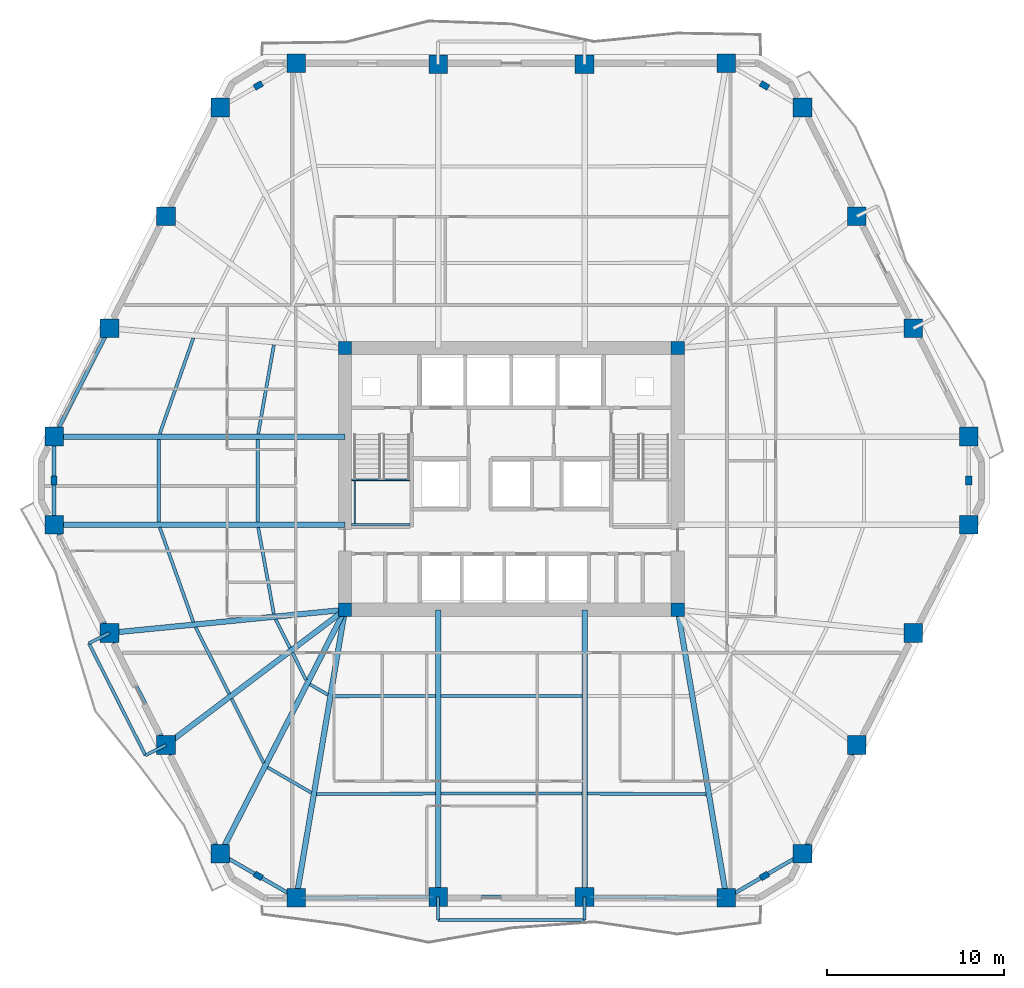
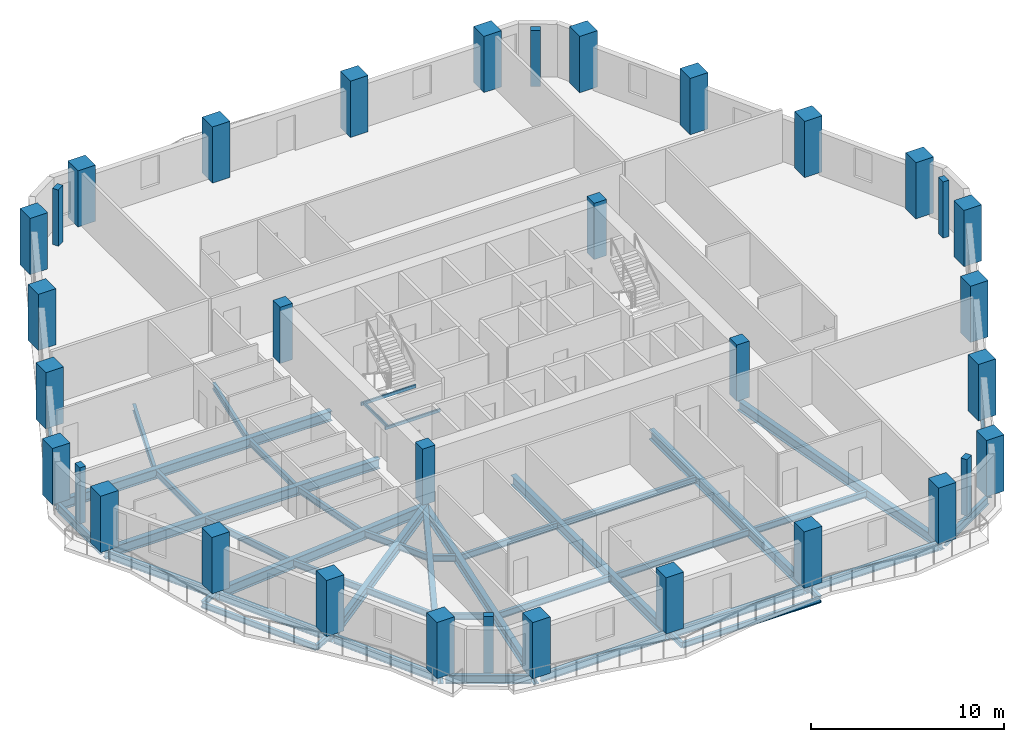
# One storey, part 1 of 11: 46 beams, 34 columns.
"""IFC4 building model written with IfcOpenShell, lengths in metres."""

from ifc_helpers import new_model, si_unit, direction, frame, origin, origin_2d, place, context, subcontext, project, spatial, rectangle, hollow_rectangle, i_section, extrude, material, material_profile, profile_set, type_object, element, save


model = new_model("IFC4")

# Units and contexts
model_context = context("Model", 3, precision=1e-05, world=origin(), true_north=direction((0.0, 1.0)))
body_context = subcontext(model_context, "Body", "Model", "MODEL_VIEW")
ifc_project = project(units=[si_unit("LENGTHUNIT", "METRE"), si_unit("AREAUNIT", "SQUARE_METRE"), si_unit("VOLUMEUNIT", "CUBIC_METRE"), si_unit("PLANEANGLEUNIT", "RADIAN"), si_unit("MASSUNIT", "GRAM", prefix="KILO")], contexts=[model_context])

# Site, building, storey
site_placement = place(None, origin())
site = spatial("IfcSite", under=ifc_project, at=site_placement, CompositionType="ELEMENT")
building_placement = place(site_placement, origin())
building = spatial("IfcBuilding", under=site, at=building_placement, Name="Cinnabar Lancet Tower", CompositionType="ELEMENT")
storey_placement = place(building_placement, frame((0.0, 0.0, 90.64990234375)))
storey = spatial("IfcBuildingStorey", under=building, at=storey_placement, Name="L23", CompositionType="ELEMENT", Elevation=90.64990234375)

# Columns
ifc_material_1 = material(Name="Concrete C70/85", Category="concrete")
ifc_material_profile_1 = material_profile(ifc_material_1, rectangle(XDim=0.75, YDim=0.75, at=origin_2d()), Name="RC-COL 750x750")
ifc_profile_set_1 = profile_set([ifc_material_profile_1], Name="Concrete C70/85")
column_type_1 = type_object("IfcColumnType", Name="STR-COL-CORE-750", PredefinedType="COLUMN", material=ifc_profile_set_1)
for number, where, z_axis, x_axis, name in (
    (1, (23.02490234375, 18.52490234375, 0.0), (0.0, 0.0, 1.0), (1.0, 0.0, 0.0), "L23 Core Corner Column SW"),
    (2, (41.77490234375, 18.52490234375, 0.0), (0.0, 0.0, 1.0), (1.0, 0.0, 0.0), "L23 Core Corner Column SE"),
    (3, (41.77490234375, 33.27490234375, 0.0), (0.0, 0.0, 1.0), (1.0, 0.0, 0.0), "L23 Core Corner Column NE"),
    (4, (23.02490234375, 33.27490234375, 0.0), (0.0, 0.0, 1.0), (1.0, 0.0, 0.0), "L23 Core Corner Column NW"),
):
    element("IfcColumn", number, at=place(storey_placement, frame(where, z_axis=z_axis, x_axis=x_axis)), inside=storey, type_object=column_type_1, Name=name, PredefinedType="COLUMN", context=body_context, shape_type="SweptSolid", body=[
        extrude(rectangle(XDim=0.75, YDim=0.75, at=origin_2d()), origin(), (0.0, 0.0, 1.0), 3.550048828125),
    ])
ifc_material_2 = material(Name="Concrete C60/75", Category="concrete")
ifc_material_profile_2 = material_profile(ifc_material_2, rectangle(XDim=0.5, YDim=0.35009765625, at=origin_2d()), Name="RC-PIL 500x350")
ifc_profile_set_2 = profile_set([ifc_material_profile_2], Name="Concrete C60/75")
column_type_2 = type_object("IfcColumnType", Name="STR-COL-PIL-500", PredefinedType="PILASTER", material=ifc_profile_set_2)
for number, where, z_axis, x_axis, name in (
    (5, (18.139892578125, 3.531005859375, 0.0), (0.0, 0.0, 1.0), (0.865195182343, -0.501435236546, 0.0), "L23 Chamfered Corner Pilaster 1"),
    (6, (46.659912109375, 3.531005859375, 0.0), (0.0, 0.0, 1.0), (0.865195182343, 0.501435236546, 0.0), "L23 Chamfered Corner Pilaster 2"),
    (7, (58.16796875, 25.800048828125, 0.0), (0.0, 0.0, 1.0), (0.0, 1.0, 0.0), "L23 Chamfered Corner Pilaster 3"),
    (8, (46.659912109375, 48.069091796875, 0.0), (0.0, 0.0, 1.0), (-0.865195182343, 0.501435236546, 0.0), "L23 Chamfered Corner Pilaster 4"),
    (9, (18.139892578125, 48.069091796875, 0.0), (0.0, 0.0, 1.0), (-0.865195182343, -0.501435236546, 0.0), "L23 Chamfered Corner Pilaster 5"),
    (10, (6.632080078125, 25.800048828125, 0.0), (0.0, 0.0, 1.0), (0.0, -1.0, 0.0), "L23 Chamfered Corner Pilaster 6"),
):
    element("IfcColumn", number, at=place(storey_placement, frame(where, z_axis=z_axis, x_axis=x_axis)), inside=storey, type_object=column_type_2, Name=name, PredefinedType="PILASTER", context=body_context, shape_type="SweptSolid", body=[
        extrude(rectangle(XDim=0.5, YDim=0.35009765625, at=origin_2d()), origin(), (0.0, 0.0, 1.0), 3.550048828125),
    ])
ifc_material_3 = material(Name="Concrete C70/85", Category="concrete")
ifc_material_profile_3 = material_profile(ifc_material_3, rectangle(XDim=1.050048828125, YDim=1.050048828125, at=origin_2d()), Name="RC-COL 1050x1050")
ifc_profile_set_3 = profile_set([ifc_material_profile_3], Name="Concrete C70/85")
column_type_3 = type_object("IfcColumnType", Name="STR-COL-TUBE-1050", PredefinedType="COLUMN", material=ifc_profile_set_3)
for number, where, z_axis, x_axis, name in (
    (11, (20.282958984375, 2.2890625, 0.0), (0.0, 0.0, 1.0), (1.0, 0.0, 0.0), "L23 Perimeter Tube Column 1"),
    (12, (28.278076171875, 2.342041015625, 0.0), (0.0, 0.0, 1.0), (1.0, 0.0, 0.0), "L23 Perimeter Tube Column 2"),
    (13, (36.52197265625, 2.342041015625, 0.0), (0.0, 0.0, 1.0), (1.0, 0.0, 0.0), "L23 Perimeter Tube Column 3"),
    (14, (44.51708984375, 2.2890625, 0.0), (0.0, 0.0, 1.0), (1.0, 0.0, 0.0), "L23 Perimeter Tube Column 4"),
    (15, (48.802978515625, 4.77294921875, 0.0), (0.0, 0.0, 1.0), (1.0, 0.0, 0.0), "L23 Perimeter Tube Column 5"),
    (16, (51.85888671875, 10.908935546875, 0.0), (0.0, 0.0, 1.0), (1.0, 0.0, 0.0), "L23 Perimeter Tube Column 6"),
    (17, (55.0458984375, 17.219970703125, 0.0), (0.0, 0.0, 1.0), (1.0, 0.0, 0.0), "L23 Perimeter Tube Column 7"),
    (18, (58.16796875, 23.31396484375, 0.0), (0.0, 0.0, 1.0), (1.0, 0.0, 0.0), "L23 Perimeter Tube Column 8"),
    (19, (58.16796875, 28.285888671875, 0.0), (0.0, 0.0, 1.0), (1.0, 0.0, 0.0), "L23 Perimeter Tube Column 9"),
    (20, (55.0458984375, 34.3798828125, 0.0), (0.0, 0.0, 1.0), (1.0, 0.0, 0.0), "L23 Perimeter Tube Column 10"),
    (21, (51.85888671875, 40.69091796875, 0.0), (0.0, 0.0, 1.0), (1.0, 0.0, 0.0), "L23 Perimeter Tube Column 11"),
    (22, (48.802978515625, 46.826904296875, 0.0), (0.0, 0.0, 1.0), (1.0, 0.0, 0.0), "L23 Perimeter Tube Column 12"),
    (23, (44.51708984375, 49.31103515625, 0.0), (0.0, 0.0, 1.0), (1.0, 0.0, 0.0), "L23 Perimeter Tube Column 13"),
    (24, (36.52197265625, 49.258056640625, 0.0), (0.0, 0.0, 1.0), (1.0, 0.0, 0.0), "L23 Perimeter Tube Column 14"),
    (25, (28.278076171875, 49.258056640625, 0.0), (0.0, 0.0, 1.0), (1.0, 0.0, 0.0), "L23 Perimeter Tube Column 15"),
    (26, (20.282958984375, 49.31103515625, 0.0), (0.0, 0.0, 1.0), (1.0, 0.0, 0.0), "L23 Perimeter Tube Column 16"),
    (27, (15.9970703125, 46.826904296875, 0.0), (0.0, 0.0, 1.0), (1.0, 0.0, 0.0), "L23 Perimeter Tube Column 17"),
    (28, (12.94091796875, 40.69091796875, 0.0), (0.0, 0.0, 1.0), (1.0, 0.0, 0.0), "L23 Perimeter Tube Column 18"),
    (29, (9.75390625, 34.3798828125, 0.0), (0.0, 0.0, 1.0), (1.0, 0.0, 0.0), "L23 Perimeter Tube Column 19"),
    (30, (6.632080078125, 28.285888671875, 0.0), (0.0, 0.0, 1.0), (1.0, 0.0, 0.0), "L23 Perimeter Tube Column 20"),
    (31, (6.632080078125, 23.31396484375, 0.0), (0.0, 0.0, 1.0), (1.0, 0.0, 0.0), "L23 Perimeter Tube Column 21"),
    (32, (9.75390625, 17.219970703125, 0.0), (0.0, 0.0, 1.0), (1.0, 0.0, 0.0), "L23 Perimeter Tube Column 22"),
    (33, (12.94091796875, 10.908935546875, 0.0), (0.0, 0.0, 1.0), (1.0, 0.0, 0.0), "L23 Perimeter Tube Column 23"),
    (34, (15.9970703125, 4.77294921875, 0.0), (0.0, 0.0, 1.0), (1.0, 0.0, 0.0), "L23 Perimeter Tube Column 24"),
):
    element("IfcColumn", number, at=place(storey_placement, frame(where, z_axis=z_axis, x_axis=x_axis)), inside=storey, type_object=column_type_3, Name=name, PredefinedType="COLUMN", context=body_context, shape_type="SweptSolid", body=[
        extrude(rectangle(XDim=1.050048828125, YDim=1.050048828125, at=origin_2d()), origin(), (0.0, 0.0, 1.0), 3.550048828125),
    ])

# Beams
ifc_material_4 = material(Name="Structural steel S355", Category="steel")
ifc_material_profile_4 = material_profile(ifc_material_4, i_section(OverallWidth=0.177978515625, OverallDepth=0.406494140625, WebThickness=0.0078125, FlangeThickness=0.0126953125, FilletRadius=0.01025390625, at=origin_2d()), Name="UKB 406x178x60")
ifc_profile_set_4 = profile_set([ifc_material_profile_4], Name="Structural steel S355")
beam_type_1 = type_object("IfcBeamType", Name="STR-BM-JST-406", PredefinedType="JOIST", material=ifc_profile_set_4)
beam_1_placement = place(storey_placement, frame((12.587890625, 23.159912109375, -0.4228515625), z_axis=(0.334895371125, -0.942255321237, 0.0), x_axis=(0.942255321237, 0.334895371125, 0.0)))
element("IfcBeam", 35, at=beam_1_placement, inside=storey, type_object=beam_type_1, Name="L23 Secondary Floor Joist 1", PredefinedType="JOIST", context=body_context, shape_type="SweptSolid", body=[
    extrude(i_section(OverallWidth=0.177978515625, OverallDepth=0.406494140625, WebThickness=0.0078125, FlangeThickness=0.0126953125, FilletRadius=0.01025390625, at=origin_2d()), origin(), (0.0, 0.0, 1.0), 5.64697265625),
])
beam_2_placement = place(storey_placement, frame((18.135009765625, 23.159912109375, -0.4228515625), z_axis=(0.177857522222, -0.984056249301, 0.0), x_axis=(0.984056249301, 0.177857522222, 0.0)))
element("IfcBeam", 36, at=beam_2_placement, inside=storey, type_object=beam_type_1, Name="L23 Secondary Floor Joist 2", PredefinedType="JOIST", context=body_context, shape_type="SweptSolid", body=[
    extrude(i_section(OverallWidth=0.177978515625, OverallDepth=0.406494140625, WebThickness=0.0078125, FlangeThickness=0.0126953125, FilletRadius=0.01025390625, at=origin_2d()), origin(), (0.0, 0.0, 1.0), 4.9541015625),
])
beam_3_placement = place(storey_placement, frame((14.60595703125, 17.54296875, -0.4228515625), z_axis=(0.45074077851, -0.89265488885, 0.0), x_axis=(0.89265488885, 0.45074077851, 0.0)))
element("IfcBeam", 37, at=beam_3_placement, inside=storey, type_object=beam_type_1, Name="L23 Secondary Floor Joist 3", PredefinedType="JOIST", context=body_context, shape_type="SweptSolid", body=[
    extrude(i_section(OverallWidth=0.177978515625, OverallDepth=0.406494140625, WebThickness=0.0078125, FlangeThickness=0.0126953125, FilletRadius=0.01025390625, at=origin_2d()), origin(), (0.0, 0.0, 1.0), 4.204345703125),
])
beam_4_placement = place(storey_placement, frame((19.117919921875, 17.987060546875, -0.4228515625), z_axis=(0.450301495902, -0.892876566379, 0.0), x_axis=(0.892876566379, 0.450301495902, 0.0)))
element("IfcBeam", 38, at=beam_4_placement, inside=storey, type_object=beam_type_1, Name="L23 Secondary Floor Joist 4", PredefinedType="JOIST", context=body_context, shape_type="SweptSolid", body=[
    extrude(i_section(OverallWidth=0.177978515625, OverallDepth=0.406494140625, WebThickness=0.0078125, FlangeThickness=0.0126953125, FilletRadius=0.01025390625, at=origin_2d()), origin(), (0.0, 0.0, 1.0), 1.801025390625),
])
beam_5_placement = place(storey_placement, frame((16.64111328125, 13.510986328125, -0.4228515625), z_axis=(0.445786702818, -0.895139215759, 0.0), x_axis=(0.895139215759, 0.445786702818, 0.0)))
element("IfcBeam", 39, at=beam_5_placement, inside=storey, type_object=beam_type_1, Name="L23 Secondary Floor Joist 5", PredefinedType="JOIST", context=body_context, shape_type="SweptSolid", body=[
    extrude(i_section(OverallWidth=0.177978515625, OverallDepth=0.406494140625, WebThickness=0.0078125, FlangeThickness=0.0126953125, FilletRadius=0.01025390625, at=origin_2d()), origin(), (0.0, 0.0, 1.0), 4.03955078125),
])
beam_6_placement = place(storey_placement, frame((20.069091796875, 16.10009765625, -0.4228515625), z_axis=(0.44578468599, -0.895140220154, 0.0), x_axis=(0.895140220154, 0.44578468599, 0.0)))
element("IfcBeam", 40, at=beam_6_placement, inside=storey, type_object=beam_type_1, Name="L23 Secondary Floor Joist 6", PredefinedType="JOIST", context=body_context, shape_type="SweptSolid", body=[
    extrude(i_section(OverallWidth=0.177978515625, OverallDepth=0.406494140625, WebThickness=0.0078125, FlangeThickness=0.0126953125, FilletRadius=0.01025390625, at=origin_2d()), origin(), (0.0, 0.0, 1.0), 1.709228515625),
])
beam_7_placement = place(storey_placement, frame((18.659912109375, 9.64697265625, -0.4228515625), z_axis=(0.865113631149, -0.50157592167, 0.0), x_axis=(0.50157592167, 0.865113631149, 0.0)))
element("IfcBeam", 41, at=beam_7_placement, inside=storey, type_object=beam_type_1, Name="L23 Secondary Floor Joist 7", PredefinedType="JOIST", context=body_context, shape_type="SweptSolid", body=[
    extrude(i_section(OverallWidth=0.177978515625, OverallDepth=0.406494140625, WebThickness=0.0078125, FlangeThickness=0.0126953125, FilletRadius=0.01025390625, at=origin_2d()), origin(), (0.0, 0.0, 1.0), 2.852783203125),
])
beam_8_placement = place(storey_placement, frame((21.050048828125, 14.322021484375, -0.4228515625), z_axis=(0.865192550274, -0.50143977799, 0.0), x_axis=(0.50143977799, 0.865192550274, 0.0)))
element("IfcBeam", 42, at=beam_8_placement, inside=storey, type_object=beam_type_1, Name="L23 Secondary Floor Joist 8", PredefinedType="JOIST", context=body_context, shape_type="SweptSolid", body=[
    extrude(i_section(OverallWidth=0.177978515625, OverallDepth=0.406494140625, WebThickness=0.0078125, FlangeThickness=0.0126953125, FilletRadius=0.01025390625, at=origin_2d()), origin(), (0.0, 0.0, 1.0), 1.16845703125),
])
beam_9_placement = place(storey_placement, frame((21.426025390625, 8.135009765625, -0.4228515625), z_axis=(0.999988600252, 0.004774868111, 0.0), x_axis=(-0.004774868111, 0.999988600252, 0.0)))
element("IfcBeam", 43, at=beam_9_placement, inside=storey, type_object=beam_type_1, Name="L23 Secondary Floor Joist 9", PredefinedType="JOIST", context=body_context, shape_type="SweptSolid", body=[
    extrude(i_section(OverallWidth=0.177978515625, OverallDepth=0.406494140625, WebThickness=0.0078125, FlangeThickness=0.0126953125, FilletRadius=0.01025390625, at=origin_2d()), origin(), (0.0, 0.0, 1.0), 6.697998046875),
])
beam_10_placement = place(storey_placement, frame((22.35791015625, 13.655029296875, -0.4228515625), z_axis=(0.999996664651, 0.002582767234, 0.0), x_axis=(-0.002582767234, 0.999996664651, 0.0)))
element("IfcBeam", 44, at=beam_10_placement, inside=storey, type_object=beam_type_1, Name="L23 Secondary Floor Joist 10", PredefinedType="JOIST", context=body_context, shape_type="SweptSolid", body=[
    extrude(i_section(OverallWidth=0.177978515625, OverallDepth=0.406494140625, WebThickness=0.0078125, FlangeThickness=0.0126953125, FilletRadius=0.01025390625, at=origin_2d()), origin(), (0.0, 0.0, 1.0), 5.76611328125),
])
for number, where, z_axis, x_axis, name in (
    (45, (28.431884765625, 8.16796875, -0.4228515625), (1.0, 0.0, 0.0), (0.0, 1.0, 0.0), "L23 Secondary Floor Joist 11"),
    (46, (28.431884765625, 13.669921875, -0.4228515625), (1.0, 0.0, 0.0), (0.0, 1.0, 0.0), "L23 Secondary Floor Joist 12"),
):
    element("IfcBeam", number, at=place(storey_placement, frame(where, z_axis=z_axis, x_axis=x_axis)), inside=storey, type_object=beam_type_1, Name=name, PredefinedType="JOIST", context=body_context, shape_type="SweptSolid", body=[
        extrude(i_section(OverallWidth=0.177978515625, OverallDepth=0.406494140625, WebThickness=0.0078125, FlangeThickness=0.0126953125, FilletRadius=0.01025390625, at=origin_2d()), origin(), (0.0, 0.0, 1.0), 7.93603515625),
    ])
beam_11_placement = place(storey_placement, frame((36.676025390625, 8.1669921875, -0.4228515625), z_axis=(0.999988600252, -0.004774868111, 0.0), x_axis=(0.004774868111, 0.999988600252, 0.0)))
element("IfcBeam", 47, at=beam_11_placement, inside=storey, type_object=beam_type_1, Name="L23 Secondary Floor Joist 13", PredefinedType="JOIST", context=body_context, shape_type="SweptSolid", body=[
    extrude(i_section(OverallWidth=0.177978515625, OverallDepth=0.406494140625, WebThickness=0.0078125, FlangeThickness=0.0126953125, FilletRadius=0.01025390625, at=origin_2d()), origin(), (0.0, 0.0, 1.0), 6.697998046875),
])
beam_12_placement = place(storey_placement, frame((14.47900390625, 33.83203125, -0.4228515625), z_axis=(-0.331107734144, -0.943592956942, 0.0), x_axis=(0.943592956942, -0.331107734144, 0.0)))
element("IfcBeam", 48, at=beam_12_placement, inside=storey, type_object=beam_type_1, Name="L23 Secondary Floor Joist 45", PredefinedType="JOIST", context=body_context, shape_type="SweptSolid", body=[
    extrude(i_section(OverallWidth=0.177978515625, OverallDepth=0.406494140625, WebThickness=0.0078125, FlangeThickness=0.0126953125, FilletRadius=0.01025390625, at=origin_2d()), origin(), (0.0, 0.0, 1.0), 5.71435546875),
])
beam_13_placement = place(storey_placement, frame((19.01708984375, 33.455078125, -0.4228515625), z_axis=(-0.173410624156, -0.984849610565, 0.0), x_axis=(0.984849610565, -0.173410624156, 0.0)))
element("IfcBeam", 49, at=beam_13_placement, inside=storey, type_object=beam_type_1, Name="L23 Secondary Floor Joist 46", PredefinedType="JOIST", context=body_context, shape_type="SweptSolid", body=[
    extrude(i_section(OverallWidth=0.177978515625, OverallDepth=0.406494140625, WebThickness=0.0078125, FlangeThickness=0.0126953125, FilletRadius=0.01025390625, at=origin_2d()), origin(), (0.0, 0.0, 1.0), 5.09228515625),
])
for number, where, z_axis, x_axis, name in (
    (50, (12.532958984375, 28.132080078125, -0.4228515625), (0.0, -1.0, 0.0), (1.0, 0.0, 0.0), "L23 Secondary Floor Joist 47"),
    (51, (18.10693359375, 28.132080078125, -0.4228515625), (0.0, -1.0, 0.0), (1.0, 0.0, 0.0), "L23 Secondary Floor Joist 48"),
):
    element("IfcBeam", number, at=place(storey_placement, frame(where, z_axis=z_axis, x_axis=x_axis)), inside=storey, type_object=beam_type_1, Name=name, PredefinedType="JOIST", context=body_context, shape_type="SweptSolid", body=[
        extrude(i_section(OverallWidth=0.177978515625, OverallDepth=0.406494140625, WebThickness=0.0078125, FlangeThickness=0.0126953125, FilletRadius=0.01025390625, at=origin_2d()), origin(), (0.0, 0.0, 1.0), 4.6640625),
    ])
ifc_material_5 = material(Name="Structural steel S355", Category="steel")
ifc_material_profile_5 = material_profile(ifc_material_5, hollow_rectangle(XDim=0.10009765625, YDim=0.199951171875, WallThickness=0.008056640625, InnerFilletRadius=0.00390625, OuterFilletRadius=0.011962890625, at=origin_2d()), Name="RHS 200x100x8")
ifc_profile_set_5 = profile_set([ifc_material_profile_5], Name="Structural steel S355")
beam_type_2 = type_object("IfcBeamType", Name="STR-BM-LND-203", PredefinedType="BEAM", material=ifc_profile_set_5)
for number, where, z_axis, x_axis, name in (
    (52, (23.39990234375, 23.330078125, 1.47509765625), (1.0, 0.0, 0.0), (0.0, 1.0, 0.0), "L23 ST-1-L23 Landing Support Beam S"),
    (53, (23.39990234375, 25.844970703125, 1.47509765625), (1.0, 0.0, 0.0), (0.0, 1.0, 0.0), "L23 ST-1-L23 Landing Support Beam N"),
):
    element("IfcBeam", number, at=place(storey_placement, frame(where, z_axis=z_axis, x_axis=x_axis)), inside=storey, type_object=beam_type_2, Name=name, PredefinedType="BEAM", context=body_context, shape_type="SweptSolid", body=[
        extrude(hollow_rectangle(XDim=0.10009765625, YDim=0.199951171875, WallThickness=0.008056640625, InnerFilletRadius=0.00390625, OuterFilletRadius=0.011962890625, at=origin_2d()), origin(), (0.0, 0.0, 1.0), 3.280029296875),
    ])
beam_14_placement = place(storey_placement, frame((23.580078125, 23.3798828125, 1.47509765625), z_axis=(0.0, 1.0, 0.0), x_axis=(-1.0, 0.0, 0.0)))
element("IfcBeam", 54, at=beam_14_placement, inside=storey, type_object=beam_type_2, Name="L23 ST-1-L23 Landing Side Trimmer Beam", PredefinedType="BEAM", context=body_context, shape_type="SweptSolid", body=[
    extrude(hollow_rectangle(XDim=0.10009765625, YDim=0.199951171875, WallThickness=0.008056640625, InnerFilletRadius=0.00390625, OuterFilletRadius=0.011962890625, at=origin_2d()), origin(), (0.0, 0.0, 1.0), 2.4150390625),
])
ifc_material_6 = material(Name="Structural steel S355", Category="steel")
ifc_material_profile_6 = material_profile(ifc_material_6, i_section(OverallWidth=0.209228515625, OverallDepth=0.533203125, WebThickness=0.010009765625, FlangeThickness=0.015625, FilletRadius=0.0126953125, at=origin_2d()), Name="UKB 533x210x92")
ifc_profile_set_6 = profile_set([ifc_material_profile_6], Name="Structural steel S355")
beam_type_3 = type_object("IfcBeamType", Name="STR-BM-SPN-533", PredefinedType="SPANDREL", material=ifc_profile_set_6)
beam_15_placement = place(storey_placement, frame((20.532958984375, 2.291015625, -0.48681640625), z_axis=(0.99997856757, 0.006547090947, 0.0), x_axis=(-0.006547090947, 0.99997856757, 0.0)))
element("IfcBeam", 55, at=beam_15_placement, inside=storey, type_object=beam_type_3, Name="L23 Perimeter Spandrel 1", PredefinedType="SPANDREL", context=body_context, shape_type="SweptSolid", body=[
    extrude(i_section(OverallWidth=0.209228515625, OverallDepth=0.533203125, WebThickness=0.010009765625, FlangeThickness=0.015625, FilletRadius=0.0126953125, at=origin_2d()), origin(), (0.0, 0.0, 1.0), 7.495361328125),
])
beam_16_placement = place(storey_placement, frame((28.528076171875, 2.342041015625, -0.48681640625), z_axis=(1.0, 0.0, 0.0), x_axis=(0.0, 1.0, 0.0)))
element("IfcBeam", 56, at=beam_16_placement, inside=storey, type_object=beam_type_3, Name="L23 Perimeter Spandrel 2", PredefinedType="SPANDREL", context=body_context, shape_type="SweptSolid", body=[
    extrude(i_section(OverallWidth=0.209228515625, OverallDepth=0.533203125, WebThickness=0.010009765625, FlangeThickness=0.015625, FilletRadius=0.0126953125, at=origin_2d()), origin(), (0.0, 0.0, 1.0), 7.743896484375),
])
beam_17_placement = place(storey_placement, frame((36.77197265625, 2.340087890625, -0.48681640625), z_axis=(0.99997856757, -0.006547090947, 0.0), x_axis=(0.006547090947, 0.99997856757, 0.0)))
element("IfcBeam", 57, at=beam_17_placement, inside=storey, type_object=beam_type_3, Name="L23 Perimeter Spandrel 3", PredefinedType="SPANDREL", context=body_context, shape_type="SweptSolid", body=[
    extrude(i_section(OverallWidth=0.209228515625, OverallDepth=0.533203125, WebThickness=0.010009765625, FlangeThickness=0.015625, FilletRadius=0.0126953125, at=origin_2d()), origin(), (0.0, 0.0, 1.0), 7.495361328125),
])
beam_18_placement = place(storey_placement, frame((44.73291015625, 2.4140625, -0.48681640625), z_axis=(0.865171017323, 0.501476929463, 0.0), x_axis=(-0.501476929463, 0.865171017323, 0.0)))
element("IfcBeam", 58, at=beam_18_placement, inside=storey, type_object=beam_type_3, Name="L23 Perimeter Spandrel 4", PredefinedType="SPANDREL", context=body_context, shape_type="SweptSolid", body=[
    extrude(i_section(OverallWidth=0.209228515625, OverallDepth=0.533203125, WebThickness=0.010009765625, FlangeThickness=0.015625, FilletRadius=0.0126953125, at=origin_2d()), origin(), (0.0, 0.0, 1.0), 4.45458984375),
])
beam_19_placement = place(storey_placement, frame((48.9140625, 4.9970703125, -0.48681640625), z_axis=(0.445953050023, 0.89505635419, 0.0), x_axis=(-0.89505635419, 0.445953050023, 0.0)))
element("IfcBeam", 59, at=beam_19_placement, inside=storey, type_object=beam_type_3, Name="L23 Perimeter Spandrel 5", PredefinedType="SPANDREL", context=body_context, shape_type="SweptSolid", body=[
    extrude(i_section(OverallWidth=0.209228515625, OverallDepth=0.533203125, WebThickness=0.010009765625, FlangeThickness=0.015625, FilletRadius=0.0126953125, at=origin_2d()), origin(), (0.0, 0.0, 1.0), 6.35498046875),
])
beam_20_placement = place(storey_placement, frame((9.639892578125, 34.156982421875, -0.48681640625), z_axis=(-0.455994051912, -0.889982822655, 0.0), x_axis=(0.889982822655, -0.455994051912, 0.0)))
element("IfcBeam", 60, at=beam_20_placement, inside=storey, type_object=beam_type_3, Name="L23 Perimeter Spandrel 19", PredefinedType="SPANDREL", context=body_context, shape_type="SweptSolid", body=[
    extrude(i_section(OverallWidth=0.209228515625, OverallDepth=0.533203125, WebThickness=0.010009765625, FlangeThickness=0.015625, FilletRadius=0.0126953125, at=origin_2d()), origin(), (0.0, 0.0, 1.0), 6.34619140625),
])
beam_21_placement = place(storey_placement, frame((6.632080078125, 28.035888671875, -0.48681640625), z_axis=(0.0, -1.0, 0.0), x_axis=(1.0, 0.0, 0.0)))
element("IfcBeam", 61, at=beam_21_placement, inside=storey, type_object=beam_type_3, Name="L23 Perimeter Spandrel 20", PredefinedType="SPANDREL", context=body_context, shape_type="SweptSolid", body=[
    extrude(i_section(OverallWidth=0.209228515625, OverallDepth=0.533203125, WebThickness=0.010009765625, FlangeThickness=0.015625, FilletRadius=0.0126953125, at=origin_2d()), origin(), (0.0, 0.0, 1.0), 4.471923828125),
])
beam_22_placement = place(storey_placement, frame((6.74609375, 23.091064453125, -0.48681640625), z_axis=(0.455994051912, -0.889982822655, 0.0), x_axis=(0.889982822655, 0.455994051912, 0.0)))
element("IfcBeam", 62, at=beam_22_placement, inside=storey, type_object=beam_type_3, Name="L23 Perimeter Spandrel 21", PredefinedType="SPANDREL", context=body_context, shape_type="SweptSolid", body=[
    extrude(i_section(OverallWidth=0.209228515625, OverallDepth=0.533203125, WebThickness=0.010009765625, FlangeThickness=0.015625, FilletRadius=0.0126953125, at=origin_2d()), origin(), (0.0, 0.0, 1.0), 6.34619140625),
])
beam_23_placement = place(storey_placement, frame((9.866943359375, 16.9970703125, -0.48681640625), z_axis=(0.450673532306, -0.892688841242, 0.0), x_axis=(0.892688841242, 0.450673532306, 0.0)))
element("IfcBeam", 63, at=beam_23_placement, inside=storey, type_object=beam_type_3, Name="L23 Perimeter Spandrel 22", PredefinedType="SPANDREL", context=body_context, shape_type="SweptSolid", body=[
    extrude(i_section(OverallWidth=0.209228515625, OverallDepth=0.533203125, WebThickness=0.010009765625, FlangeThickness=0.015625, FilletRadius=0.0126953125, at=origin_2d()), origin(), (0.0, 0.0, 1.0), 6.570068359375),
])
beam_24_placement = place(storey_placement, frame((13.052001953125, 10.68505859375, -0.48681640625), z_axis=(0.445953050023, -0.89505635419, 0.0), x_axis=(0.89505635419, 0.445953050023, 0.0)))
element("IfcBeam", 64, at=beam_24_placement, inside=storey, type_object=beam_type_3, Name="L23 Perimeter Spandrel 23", PredefinedType="SPANDREL", context=body_context, shape_type="SweptSolid", body=[
    extrude(i_section(OverallWidth=0.209228515625, OverallDepth=0.533203125, WebThickness=0.010009765625, FlangeThickness=0.015625, FilletRadius=0.0126953125, at=origin_2d()), origin(), (0.0, 0.0, 1.0), 6.35498046875),
])
beam_25_placement = place(storey_placement, frame((16.212890625, 4.64794921875, -0.48681640625), z_axis=(0.865171017323, -0.501476929463, 0.0), x_axis=(0.501476929463, 0.865171017323, 0.0)))
element("IfcBeam", 65, at=beam_25_placement, inside=storey, type_object=beam_type_3, Name="L23 Perimeter Spandrel 24", PredefinedType="SPANDREL", context=body_context, shape_type="SweptSolid", body=[
    extrude(i_section(OverallWidth=0.209228515625, OverallDepth=0.533203125, WebThickness=0.010009765625, FlangeThickness=0.015625, FilletRadius=0.0126953125, at=origin_2d()), origin(), (0.0, 0.0, 1.0), 4.45458984375),
])
ifc_material_7 = material(Name="Structural steel S355", Category="steel")
ifc_material_profile_7 = material_profile(ifc_material_7, i_section(OverallWidth=0.30712890625, OverallDepth=0.6201171875, WebThickness=0.01416015625, FlangeThickness=0.023681640625, FilletRadius=0.0166015625, at=origin_2d()), Name="UKB 610x305x179")
ifc_profile_set_7 = profile_set([ifc_material_profile_7], Name="Structural steel S355")
beam_type_4 = type_object("IfcBeamType", Name="STR-BM-UKB610-179", PredefinedType="BEAM", material=ifc_profile_set_7)
beam_26_placement = place(storey_placement, frame((12.94091796875, 10.908935546875, -0.52978515625), z_axis=(0.797983154837, 0.602679752933, 0.0), x_axis=(-0.602679752933, 0.797983154837, 0.0)))
element("IfcBeam", 66, at=beam_26_placement, inside=storey, type_object=beam_type_4, Name="L23 Corner Collector Girder 1", PredefinedType="BEAM", context=body_context, shape_type="SweptSolid", body=[
    extrude(i_section(OverallWidth=0.30712890625, OverallDepth=0.6201171875, WebThickness=0.01416015625, FlangeThickness=0.023681640625, FilletRadius=0.0166015625, at=origin_2d()), origin(), (0.0, 0.0, 1.0), 12.63671875),
])
beam_27_placement = place(storey_placement, frame((20.282958984375, 2.2890625, -0.52978515625), z_axis=(0.166524102484, 0.986037384328, 0.0), x_axis=(-0.986037384328, 0.166524102484, 0.0)))
element("IfcBeam", 67, at=beam_27_placement, inside=storey, type_object=beam_type_4, Name="L23 Primary Floor Girder 1", PredefinedType="BEAM", context=body_context, shape_type="SweptSolid", body=[
    extrude(i_section(OverallWidth=0.30712890625, OverallDepth=0.6201171875, WebThickness=0.01416015625, FlangeThickness=0.023681640625, FilletRadius=0.0166015625, at=origin_2d()), origin(), (0.0, 0.0, 1.0), 16.4658203125),
])
for number, where, z_axis, x_axis, name in (
    (68, (28.278076171875, 2.342041015625, -0.52978515625), (0.0, 1.0, 0.0), (-1.0, 0.0, 0.0), "L23 Primary Floor Girder 2"),
    (69, (36.52197265625, 2.342041015625, -0.52978515625), (0.0, 1.0, 0.0), (-1.0, 0.0, 0.0), "L23 Primary Floor Girder 3"),
):
    element("IfcBeam", number, at=place(storey_placement, frame(where, z_axis=z_axis, x_axis=x_axis)), inside=storey, type_object=beam_type_4, Name=name, PredefinedType="BEAM", context=body_context, shape_type="SweptSolid", body=[
        extrude(i_section(OverallWidth=0.30712890625, OverallDepth=0.6201171875, WebThickness=0.01416015625, FlangeThickness=0.023681640625, FilletRadius=0.0166015625, at=origin_2d()), origin(), (0.0, 0.0, 1.0), 16.182861328125),
    ])
beam_28_placement = place(storey_placement, frame((44.51708984375, 2.2890625, -0.52978515625), z_axis=(-0.166538518453, 0.98603494962, 0.0), x_axis=(-0.98603494962, -0.166538518453, 0.0)))
element("IfcBeam", 70, at=beam_28_placement, inside=storey, type_object=beam_type_4, Name="L23 Primary Floor Girder 4", PredefinedType="BEAM", context=body_context, shape_type="SweptSolid", body=[
    extrude(i_section(OverallWidth=0.30712890625, OverallDepth=0.6201171875, WebThickness=0.01416015625, FlangeThickness=0.023681640625, FilletRadius=0.0166015625, at=origin_2d()), origin(), (0.0, 0.0, 1.0), 16.4658203125),
])
for number, where, z_axis, x_axis, name in (
    (71, (6.632080078125, 28.285888671875, -0.52978515625), (1.0, 0.0, 0.0), (0.0, 1.0, 0.0), "L23 Primary Floor Girder 20"),
    (72, (6.632080078125, 23.31396484375, -0.52978515625), (1.0, 0.0, 0.0), (0.0, 1.0, 0.0), "L23 Primary Floor Girder 21"),
):
    element("IfcBeam", number, at=place(storey_placement, frame(where, z_axis=z_axis, x_axis=x_axis)), inside=storey, type_object=beam_type_4, Name=name, PredefinedType="BEAM", context=body_context, shape_type="SweptSolid", body=[
        extrude(i_section(OverallWidth=0.30712890625, OverallDepth=0.6201171875, WebThickness=0.01416015625, FlangeThickness=0.023681640625, FilletRadius=0.0166015625, at=origin_2d()), origin(), (0.0, 0.0, 1.0), 16.392822265625),
    ])
beam_29_placement = place(storey_placement, frame((9.75390625, 17.219970703125, -0.52978515625), z_axis=(0.995200421983, 0.097857652149, 0.0), x_axis=(-0.097857652149, 0.995200421983, 0.0)))
element("IfcBeam", 73, at=beam_29_placement, inside=storey, type_object=beam_type_4, Name="L23 Primary Floor Girder 22", PredefinedType="BEAM", context=body_context, shape_type="SweptSolid", body=[
    extrude(i_section(OverallWidth=0.30712890625, OverallDepth=0.6201171875, WebThickness=0.01416015625, FlangeThickness=0.023681640625, FilletRadius=0.0166015625, at=origin_2d()), origin(), (0.0, 0.0, 1.0), 13.3349609375),
])
beam_30_placement = place(storey_placement, frame((15.9970703125, 4.77294921875, -0.52978515625), z_axis=(0.455062593839, 0.890459452018, 0.0), x_axis=(-0.890459452018, 0.455062593839, 0.0)))
element("IfcBeam", 74, at=beam_30_placement, inside=storey, type_object=beam_type_4, Name="L23 Primary Floor Girder 24", PredefinedType="BEAM", context=body_context, shape_type="SweptSolid", body=[
    extrude(i_section(OverallWidth=0.30712890625, OverallDepth=0.6201171875, WebThickness=0.01416015625, FlangeThickness=0.023681640625, FilletRadius=0.0166015625, at=origin_2d()), origin(), (0.0, 0.0, 1.0), 15.443603515625),
])
ifc_material_8 = material(Name="Structural steel S355", Category="steel")
ifc_material_profile_8 = material_profile(ifc_material_8, i_section(OverallWidth=0.17138671875, OverallDepth=0.35498046875, WebThickness=0.00732421875, FlangeThickness=0.011474609375, FilletRadius=0.01025390625, at=origin_2d()), Name="UKB 356x171x51")
ifc_profile_set_8 = profile_set([ifc_material_profile_8], Name="Structural steel S355")
beam_type_5 = type_object("IfcBeamType", Name="STR-BM-WAV-OUT", PredefinedType="BEAM", material=ifc_profile_set_8)
for number, where, z_axis, x_axis, name in (
    (75, (28.278076171875, 2.342041015625, -0.39697265625), (0.0, -1.0, 0.0), (1.0, 0.0, 0.0), "L23 Face 1 Balcony Outlooker A"),
    (76, (36.52197265625, 2.342041015625, -0.39697265625), (0.0, -1.0, 0.0), (1.0, 0.0, 0.0), "L23 Face 1 Balcony Outlooker B"),
    (77, (9.75390625, 17.219970703125, -0.39697265625), (-0.89227592947, -0.451490493464, 0.0), (0.451490493464, -0.89227592947, 0.0), "L23 Face 6 Balcony Outlooker A"),
    (78, (12.94091796875, 10.908935546875, -0.39697265625), (-0.89227592947, -0.451490493464, 0.0), (0.451490493464, -0.89227592947, 0.0), "L23 Face 6 Balcony Outlooker B"),
):
    element("IfcBeam", number, at=place(storey_placement, frame(where, z_axis=z_axis, x_axis=x_axis)), inside=storey, type_object=beam_type_5, Name=name, PredefinedType="BEAM", context=body_context, shape_type="SweptSolid", body=[
        extrude(i_section(OverallWidth=0.17138671875, OverallDepth=0.35498046875, WebThickness=0.00732421875, FlangeThickness=0.011474609375, FilletRadius=0.01025390625, at=origin_2d()), origin(), (0.0, 0.0, 1.0), 1.300048828125),
    ])
ifc_material_9 = material(Name="Structural steel S355", Category="steel")
ifc_material_profile_9 = material_profile(ifc_material_9, i_section(OverallWidth=0.17138671875, OverallDepth=0.35498046875, WebThickness=0.00732421875, FlangeThickness=0.011474609375, FilletRadius=0.01025390625, at=origin_2d()), Name="UKB 356x171x51")
ifc_profile_set_9 = profile_set([ifc_material_profile_9], Name="Structural steel S355")
beam_type_6 = type_object("IfcBeamType", Name="STR-BM-WAV-TRIM", PredefinedType="SPANDREL", material=ifc_profile_set_9)
beam_31_placement = place(storey_placement, frame((28.278076171875, 1.0419921875, -0.39697265625), z_axis=(1.0, 0.0, 0.0), x_axis=(0.0, 1.0, 0.0)))
element("IfcBeam", 79, at=beam_31_placement, inside=storey, type_object=beam_type_6, Name="L23 Face 1 Balcony Edge Trimmer", PredefinedType="SPANDREL", context=body_context, shape_type="SweptSolid", body=[
    extrude(i_section(OverallWidth=0.17138671875, OverallDepth=0.35498046875, WebThickness=0.00732421875, FlangeThickness=0.011474609375, FilletRadius=0.01025390625, at=origin_2d()), origin(), (0.0, 0.0, 1.0), 8.243896484375),
])
beam_32_placement = place(storey_placement, frame((8.593994140625, 16.633056640625, -0.39697265625), z_axis=(0.450773692627, -0.892638268301, 0.0), x_axis=(0.892638268301, 0.450773692627, 0.0)))
element("IfcBeam", 80, at=beam_32_placement, inside=storey, type_object=beam_type_6, Name="L23 Face 6 Balcony Edge Trimmer", PredefinedType="SPANDREL", context=body_context, shape_type="SweptSolid", body=[
    extrude(i_section(OverallWidth=0.17138671875, OverallDepth=0.35498046875, WebThickness=0.00732421875, FlangeThickness=0.011474609375, FilletRadius=0.01025390625, at=origin_2d()), origin(), (0.0, 0.0, 1.0), 7.070068359375),
])

save(model, "model.ifc")
